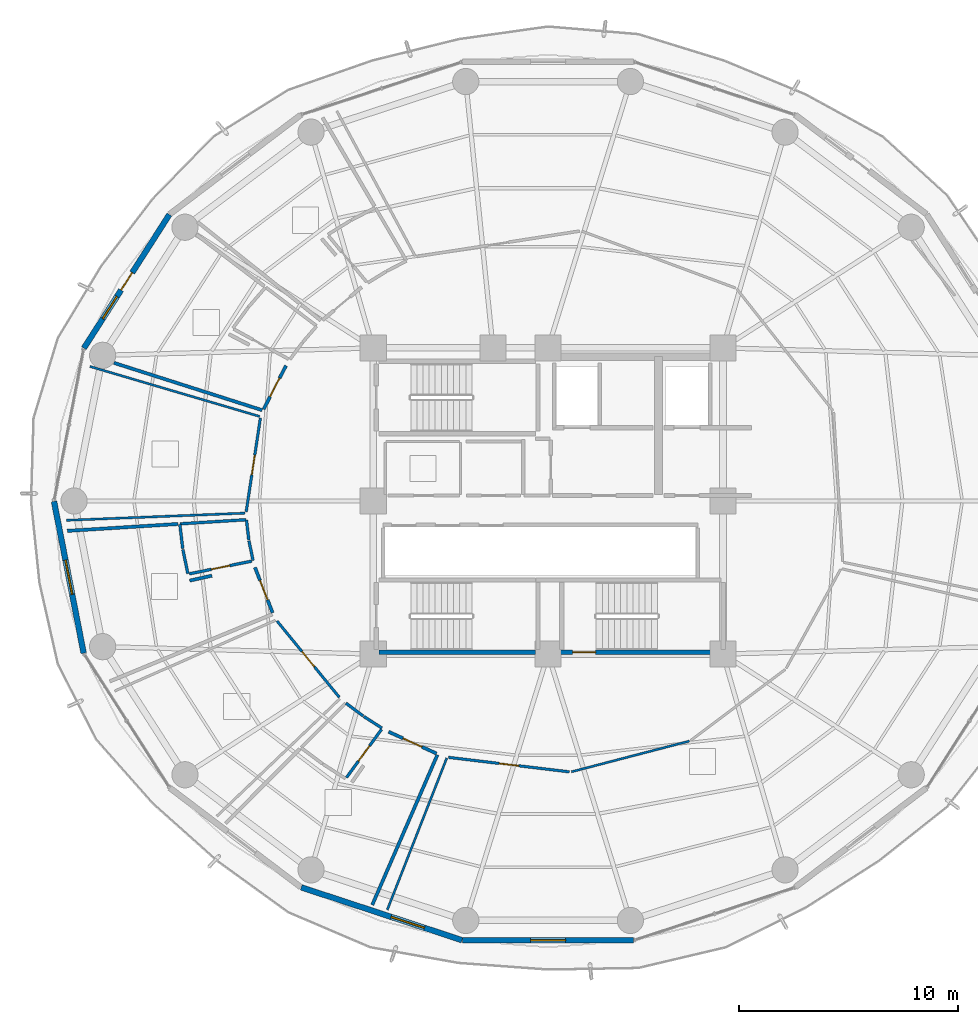
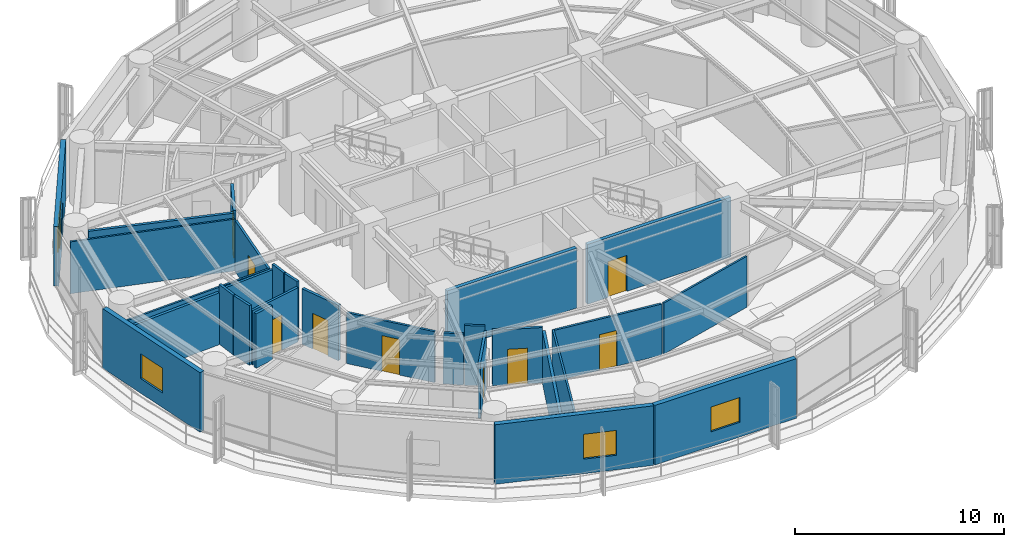
# One storey, part 21 of 27: 29 walls, 10 doors, 4 windows, 14 openings.
"""IFC4 building model written with IfcOpenShell, lengths in metres."""

from ifc_helpers import new_model, si_unit, direction, frame, frame_2d, origin, place, context, subcontext, project, spatial, rectangle, extrude, material, layer, layer_set, type_object, element, fill, save


model = new_model("IFC4")

# Units and contexts
model_context = context("Model", 3, precision=1e-05, world=origin(), true_north=direction((0.0, 1.0)))
body_context = subcontext(model_context, "Body", "Model", "MODEL_VIEW")
ifc_project = project(units=[si_unit("LENGTHUNIT", "METRE"), si_unit("AREAUNIT", "SQUARE_METRE"), si_unit("VOLUMEUNIT", "CUBIC_METRE"), si_unit("PLANEANGLEUNIT", "RADIAN"), si_unit("MASSUNIT", "GRAM", prefix="KILO")], contexts=[model_context])

# Site, building, storey
site_placement = place(None, origin())
site = spatial("IfcSite", under=ifc_project, at=site_placement, CompositionType="ELEMENT")
building_placement = place(site_placement, origin())
building = spatial("IfcBuilding", under=site, at=building_placement, Name="Kelanora Arch Commons", CompositionType="ELEMENT")
storey_placement = place(building_placement, frame((0.0, 0.0, 146.85009765625)))
storey = spatial("IfcBuildingStorey", under=building, at=storey_placement, Name="L37", CompositionType="ELEMENT", Elevation=146.85009765625)

# Wall, opening, door
ifc_material_1 = material(Name="Autoclaved aerated concrete blockwork with fire plaster", Category="masonry")
ifc_layer_1 = layer(ifc_material_1, 0.14990234375)
ifc_layer_set_1 = layer_set([ifc_layer_1], Name="Autoclaved aerated concrete blockwork with fire plaster")
wall_type_1 = type_object("IfcWallType", Name="W-COMP-150", PredefinedType="PARTITIONING", material=ifc_layer_set_1)
wall_1_placement = place(storey_placement, frame((62.0146484375, 64.191650390625, 0.0), z_axis=(0.0, 0.0, 1.0), x_axis=(-0.457234963971, -0.889345932538, 0.0)))
wall_1 = element("IfcWall", 1, at=wall_1_placement, inside=storey, type_object=wall_type_1, Name="Co-Living Studio L37-02 Entry Partition", PredefinedType="PARTITIONING", context=body_context, shape_type="SweptSolid", body=[
    extrude(rectangle(XDim=2.24462890625, YDim=0.14990234375, at=frame_2d((1.122314453125, 0.0))), origin(), (0.0, 0.0, 1.0), 3.23486328125),
])
opening_1_placement = place(wall_1_placement, frame((0.64697265625, 0.0, 0.0)))
opening_1 = element("IfcOpeningElement", 2, at=opening_1_placement, cuts=wall_1, Name="Opening D-CLU1", PredefinedType="OPENING", context=body_context, shape_type="SweptSolid", body=[
    extrude(rectangle(XDim=0.949951171875, YDim=2.080078125, at=frame_2d((0.47509765625, 1.0400390625))), frame((0.0, 0.0849609375, 0.0), z_axis=(0.0, -1.0, 0.0), x_axis=(1.0, 0.0, 0.0)), (0.0, 0.0, 1.0), 0.169921875),
])
ifc_material_2 = material(Name="Solid-core acoustic timber cluster entry fire door", Category="wood")
door_type_1 = type_object("IfcDoorType", Name="D-CLU-95", OperationType="NOTDEFINED", PredefinedType="DOOR", material=ifc_material_2)
door_1_placement = place(opening_1_placement, origin())
door_1 = element("IfcDoor", 3, at=door_1_placement, inside=storey, type_object=door_type_1, Name="Co-Living Studio L37-02 Door", OperationType="SINGLE_SWING_LEFT", OverallHeight=2.080078125, OverallWidth=0.949951171875, PredefinedType="DOOR", context=body_context, shape_type="SweptSolid", body=[
    extrude(rectangle(XDim=0.949951171875, YDim=2.080078125, at=frame_2d((0.47509765625, 1.0400390625))), frame((0.0, 0.02490234375, 0.0), z_axis=(0.0, -1.0, 0.0), x_axis=(1.0, 0.0, 0.0)), (0.0, 0.0, 1.0), 0.050048828125),
])
fill(opening_1, door_1)

wall_2_placement = place(storey_placement, frame((60.5947265625, 54.964111328125, 0.0), z_axis=(0.0, 0.0, 1.0), x_axis=(0.361769005858, -0.932267765398, 0.0)))
wall_2 = element("IfcWall", 4, at=wall_2_placement, inside=storey, type_object=wall_type_1, Name="Co-Living Studio L37-04 Entry Partition", PredefinedType="PARTITIONING", context=body_context, shape_type="SweptSolid", body=[
    extrude(rectangle(XDim=2.22705078125, YDim=0.14990234375, at=frame_2d((1.113525390625, 0.0))), origin(), (0.0, 0.0, 1.0), 3.23486328125),
])
opening_2_placement = place(wall_2_placement, frame((0.638916015625, 0.0, 0.0)))
opening_2 = element("IfcOpeningElement", 5, at=opening_2_placement, cuts=wall_2, Name="Opening D-CLU1", PredefinedType="OPENING", context=body_context, shape_type="SweptSolid", body=[
    extrude(rectangle(XDim=0.949951171875, YDim=2.080078125, at=frame_2d((0.47509765625, 1.0400390625))), frame((0.0, 0.0849609375, 0.0), z_axis=(0.0, -1.0, 0.0), x_axis=(1.0, 0.0, 0.0)), (0.0, 0.0, 1.0), 0.169921875),
])
door_2_placement = place(opening_2_placement, origin())
door_2 = element("IfcDoor", 6, at=door_2_placement, inside=storey, type_object=door_type_1, Name="Co-Living Studio L37-04 Door", OperationType="SINGLE_SWING_RIGHT", OverallHeight=2.080078125, OverallWidth=0.949951171875, PredefinedType="DOOR", context=body_context, shape_type="SweptSolid", body=[
    extrude(rectangle(XDim=0.949951171875, YDim=2.080078125, at=frame_2d((0.47509765625, 1.0400390625))), frame((0.0, 0.02490234375, 0.0), z_axis=(0.0, -1.0, 0.0), x_axis=(1.0, 0.0, 0.0)), (0.0, 0.0, 1.0), 0.050048828125),
])
fill(opening_2, door_2)

wall_3_placement = place(storey_placement, frame((66.706787109375, 47.4453125, 0.0), z_axis=(0.0, 0.0, 1.0), x_axis=(0.910872904928, -0.412686989216, 0.0)))
wall_3 = element("IfcWall", 7, at=wall_3_placement, inside=storey, type_object=wall_type_1, Name="Co-Living Studio L37-06 Entry Partition", PredefinedType="PARTITIONING", context=body_context, shape_type="SweptSolid", body=[
    extrude(rectangle(XDim=2.4072265625, YDim=0.14990234375, at=frame_2d((1.20361328125, 0.0))), origin(), (0.0, 0.0, 1.0), 3.23486328125),
])
opening_3_placement = place(wall_3_placement, frame((0.72900390625, 0.0, 0.0)))
opening_3 = element("IfcOpeningElement", 8, at=opening_3_placement, cuts=wall_3, Name="Opening D-CLU1", PredefinedType="OPENING", context=body_context, shape_type="SweptSolid", body=[
    extrude(rectangle(XDim=0.949951171875, YDim=2.080078125, at=frame_2d((0.47509765625, 1.0400390625))), frame((0.0, 0.0849609375, 0.0), z_axis=(0.0, -1.0, 0.0), x_axis=(1.0, 0.0, 0.0)), (0.0, 0.0, 1.0), 0.169921875),
])
door_3_placement = place(opening_3_placement, origin())
door_3 = element("IfcDoor", 9, at=door_3_placement, inside=storey, type_object=door_type_1, Name="Co-Living Studio L37-06 Door", OperationType="SINGLE_SWING_LEFT", OverallHeight=2.080078125, OverallWidth=0.949951171875, PredefinedType="DOOR", context=body_context, shape_type="SweptSolid", body=[
    extrude(rectangle(XDim=0.949951171875, YDim=2.080078125, at=frame_2d((0.47509765625, 1.0400390625))), frame((0.0, 0.02490234375, 0.0), z_axis=(0.0, -1.0, 0.0), x_axis=(1.0, 0.0, 0.0)), (0.0, 0.0, 1.0), 0.050048828125),
])
fill(opening_3, door_3)

# Walls
wall_4_placement = place(storey_placement, frame((60.9228515625, 62.154296875, 0.0), z_axis=(0.0, 0.0, 1.0), x_axis=(-0.952653075659, 0.304059397878, 0.0)))
element("IfcWall", 10, at=wall_4_placement, inside=storey, type_object=wall_type_1, Name="Co-Living Studio L37-02 Enclosure Partition 2", PredefinedType="PARTITIONING", context=body_context, shape_type="SweptSolid", body=[
    extrude(rectangle(XDim=7.111572265625, YDim=0.14990234375, at=frame_2d((3.5556640625, 0.0))), origin(), (0.0, 0.0, 1.0), 3.1748046875),
])
wall_5_placement = place(storey_placement, frame((52.011962890625, 56.633544921875, 0.0), z_axis=(0.0, 0.0, 1.0), x_axis=(0.998071814667, 0.062069741162, 0.0)))
element("IfcWall", 11, at=wall_5_placement, inside=storey, type_object=wall_type_1, Name="Co-Living Studio L37-04 Enclosure Partition 5", PredefinedType="PARTITIONING", context=body_context, shape_type="SweptSolid", body=[
    extrude(rectangle(XDim=5.073974609375, YDim=0.14990234375, at=frame_2d((2.537109375, 0.0))), origin(), (0.0, 0.0, 1.0), 3.02490234375),
])
wall_6_placement = place(storey_placement, frame((57.60888671875, 54.358642578125, 0.0), z_axis=(0.0, 0.0, 1.0), x_axis=(0.97598825513, 0.217823152693, 0.0)))
element("IfcWall", 12, at=wall_6_placement, inside=storey, type_object=wall_type_1, Name="Co-Living Studio L37-04 Enclosure Partition 7", PredefinedType="PARTITIONING", context=body_context, shape_type="SweptSolid", body=[
    extrude(rectangle(XDim=1.04248046875, YDim=0.14990234375, at=frame_2d((0.521240234375, 0.0))), origin(), (0.0, 0.0, 1.0), 3.1748046875),
])
wall_7_placement = place(storey_placement, frame((68.93798828125, 46.390380859375, 0.0), z_axis=(0.0, 0.0, 1.0), x_axis=(-0.398074464123, -0.917353105959, 0.0)))
element("IfcWall", 13, at=wall_7_placement, inside=storey, type_object=wall_type_1, Name="Co-Living Studio L37-06 Enclosure Partition 2", PredefinedType="PARTITIONING", context=body_context, shape_type="SweptSolid", body=[
    extrude(rectangle(XDim=7.481201171875, YDim=0.14990234375, at=frame_2d((3.74072265625, 0.0))), origin(), (0.0, 0.0, 1.0), 3.02490234375),
])

# Wall, openings, door, window
ifc_material_3 = material(Name="Precast concrete C40/50 with terracotta rainscreen", Category="masonry")
ifc_layer_2 = layer(ifc_material_3, 0.260009765625)
ifc_layer_set_2 = layer_set([ifc_layer_2], Name="Precast concrete C40/50 with terracotta rainscreen")
wall_type_2 = type_object("IfcWallType", Name="W-EXT-TC", PredefinedType="SOLIDWALL", material=ifc_layer_set_2)
wall_8_placement = place(storey_placement, frame((56.67919921875, 71.100341796875, 0.0), z_axis=(0.0, 0.0, 1.0), x_axis=(-0.538801521808, -0.842432739213, 0.0)))
wall_8 = element("IfcWall", 14, at=wall_8_placement, inside=storey, type_object=wall_type_2, Name="Terracotta Exterior Wall L37-B07", PredefinedType="SOLIDWALL", context=body_context, shape_type="SweptSolid", body=[
    extrude(rectangle(XDim=7.25341796875, YDim=0.260009765625, at=frame_2d((3.626708984375, 0.0))), origin(), (0.0, 0.0, 1.0), 3.474853515625),
])
opening_4_placement = place(wall_8_placement, frame((3.152099609375, 0.0, 0.0)))
opening_4 = element("IfcOpeningElement", 15, at=opening_4_placement, cuts=wall_8, Name="Opening DB-01", PredefinedType="OPENING", context=body_context, shape_type="SweptSolid", body=[
    extrude(rectangle(XDim=0.949951171875, YDim=2.10009765625, at=frame_2d((0.47509765625, 1.050048828125))), frame((0.0, 0.14013671875, 0.0), z_axis=(0.0, -1.0, 0.0), x_axis=(1.0, 0.0, 0.0)), (0.0, 0.0, 1.0), 0.280029296875),
])
opening_5_placement = place(wall_8_placement, frame((4.451904296875, 0.0, 0.85009765625)))
opening_5 = element("IfcOpeningElement", 16, at=opening_5_placement, cuts=wall_8, Name="Opening WN-02", PredefinedType="OPENING", context=body_context, shape_type="SweptSolid", body=[
    extrude(rectangle(XDim=1.199951171875, YDim=1.449951171875, at=frame_2d((0.60009765625, 0.72509765625))), frame((0.0, 0.14013671875, 0.0), z_axis=(0.0, -1.0, 0.0), x_axis=(1.0, 0.0, 0.0)), (0.0, 0.0, 1.0), 0.280029296875),
])
ifc_material_4 = material(Name="Terracotta-aluminium thermally broken glazed balcony door", Category="masonry")
door_type_2 = type_object("IfcDoorType", Name="D-BAL-10", OperationType="NOTDEFINED", PredefinedType="DOOR", material=ifc_material_4)
door_4_placement = place(opening_4_placement, frame((0.949951171875, 0.0, 0.0), z_axis=(0.0, 0.0, 1.0), x_axis=(-1.0, 0.0, 0.0)))
door_4 = element("IfcDoor", 17, at=door_4_placement, inside=storey, type_object=door_type_2, Name="Wave Balcony Door L37-B07", OperationType="SINGLE_SWING_LEFT", OverallHeight=2.10009765625, OverallWidth=0.949951171875, PredefinedType="DOOR", context=body_context, shape_type="SweptSolid", body=[
    extrude(rectangle(XDim=0.949951171875, YDim=2.10009765625, at=frame_2d((0.47509765625, 1.050048828125))), frame((0.0, 0.02490234375, 0.0), z_axis=(0.0, -1.0, 0.0), x_axis=(1.0, 0.0, 0.0)), (0.0, 0.0, 1.0), 0.050048828125),
])
fill(opening_4, door_4)
ifc_material_5 = material(Name="Terracotta-anodised aluminium frame with operable awning sash", Category="masonry")
window_type_1 = type_object("IfcWindowType", Name="WIN-CL-12", PartitioningType="SINGLE_PANEL", PredefinedType="WINDOW", material=ifc_material_5)
window_1_placement = place(opening_5_placement, origin())
window_1 = element("IfcWindow", 18, at=window_1_placement, inside=storey, type_object=window_type_1, Name="Co-Living Operable Window L37-B07", OverallHeight=1.449951171875, OverallWidth=1.199951171875, PartitioningType="SINGLE_PANEL", PredefinedType="WINDOW", context=body_context, shape_type="SweptSolid", body=[
    extrude(rectangle(XDim=1.199951171875, YDim=1.449951171875, at=frame_2d((0.60009765625, 0.72509765625))), frame((0.0, 0.030029296875, 0.0), z_axis=(0.0, -1.0, 0.0), x_axis=(1.0, 0.0, 0.0)), (0.0, 0.0, 1.0), 0.06005859375),
])
fill(opening_5, window_1)

# Wall, opening, window
wall_9_placement = place(storey_placement, frame((51.40283203125, 57.9853515625, 0.0), z_axis=(0.0, 0.0, 1.0), x_axis=(0.191716984769, -0.981450252306, 0.0)))
wall_9 = element("IfcWall", 19, at=wall_9_placement, inside=storey, type_object=wall_type_2, Name="Terracotta Exterior Wall L37-B09", PredefinedType="SOLIDWALL", context=body_context, shape_type="SweptSolid", body=[
    extrude(rectangle(XDim=7.0791015625, YDim=0.260009765625, at=frame_2d((3.53955078125, 0.0))), origin(), (0.0, 0.0, 1.0), 3.474853515625),
])
opening_6_placement = place(wall_9_placement, frame((2.739990234375, 0.0, 0.85009765625)))
opening_6 = element("IfcOpeningElement", 20, at=opening_6_placement, cuts=wall_9, Name="Opening WN-01", PredefinedType="OPENING", context=body_context, shape_type="SweptSolid", body=[
    extrude(rectangle(XDim=1.60009765625, YDim=1.449951171875, at=frame_2d((0.800048828125, 0.72509765625))), frame((0.0, 0.14013671875, 0.0), z_axis=(0.0, -1.0, 0.0), x_axis=(1.0, 0.0, 0.0)), (0.0, 0.0, 1.0), 0.280029296875),
])
ifc_material_6 = material(Name="Terracotta-anodised aluminium frame with operable low-E glazing", Category="masonry")
window_type_2 = type_object("IfcWindowType", Name="WIN-CL-18", PartitioningType="DOUBLE_PANEL_VERTICAL", PredefinedType="WINDOW", material=ifc_material_6)
window_2_placement = place(opening_6_placement, origin())
window_2 = element("IfcWindow", 21, at=window_2_placement, inside=storey, type_object=window_type_2, Name="Co-Living Operable Window L37-B09", OverallHeight=1.449951171875, OverallWidth=1.60009765625, PartitioningType="SINGLE_PANEL", PredefinedType="WINDOW", context=body_context, shape_type="SweptSolid", body=[
    extrude(rectangle(XDim=1.60009765625, YDim=1.449951171875, at=frame_2d((0.800048828125, 0.72509765625))), frame((0.0, 0.030029296875, 0.0), z_axis=(0.0, -1.0, 0.0), x_axis=(1.0, 0.0, 0.0)), (0.0, 0.0, 1.0), 0.06005859375),
])
fill(opening_6, window_2)

wall_10_placement = place(storey_placement, frame((62.71435546875, 40.328369140625, 0.0), z_axis=(0.0, 0.0, 1.0), x_axis=(0.950038302428, -0.312133343173, 0.0)))
wall_10 = element("IfcWall", 22, at=wall_10_placement, inside=storey, type_object=wall_type_2, Name="Terracotta Exterior Wall L37-B12", PredefinedType="SOLIDWALL", context=body_context, shape_type="SweptSolid", body=[
    extrude(rectangle(XDim=7.7333984375, YDim=0.260009765625, at=frame_2d((3.86669921875, 0.0))), origin(), (0.0, 0.0, 1.0), 3.474853515625),
])
opening_7_placement = place(wall_10_placement, frame((4.326904296875, 0.0, 0.85009765625)))
opening_7 = element("IfcOpeningElement", 23, at=opening_7_placement, cuts=wall_10, Name="Opening WN-01", PredefinedType="OPENING", context=body_context, shape_type="SweptSolid", body=[
    extrude(rectangle(XDim=1.60009765625, YDim=1.449951171875, at=frame_2d((0.800048828125, 0.72509765625))), frame((0.0, 0.14013671875, 0.0), z_axis=(0.0, -1.0, 0.0), x_axis=(1.0, 0.0, 0.0)), (0.0, 0.0, 1.0), 0.280029296875),
])
window_3_placement = place(opening_7_placement, origin())
window_3 = element("IfcWindow", 24, at=window_3_placement, inside=storey, type_object=window_type_2, Name="Co-Living Operable Window L37-B12", OverallHeight=1.449951171875, OverallWidth=1.60009765625, PartitioningType="SINGLE_PANEL", PredefinedType="WINDOW", context=body_context, shape_type="SweptSolid", body=[
    extrude(rectangle(XDim=1.60009765625, YDim=1.449951171875, at=frame_2d((0.800048828125, 0.72509765625))), frame((0.0, 0.030029296875, 0.0), z_axis=(0.0, -1.0, 0.0), x_axis=(1.0, 0.0, 0.0)), (0.0, 0.0, 1.0), 0.06005859375),
])
fill(opening_7, window_3)

wall_11_placement = place(storey_placement, frame((70.090576171875, 37.909912109375, 0.0), z_axis=(0.0, 0.0, 1.0), x_axis=(1.0, 0.0, 0.0)))
wall_11 = element("IfcWall", 25, at=wall_11_placement, inside=storey, type_object=wall_type_2, Name="Terracotta Exterior Wall L37-B13", PredefinedType="SOLIDWALL", context=body_context, shape_type="SweptSolid", body=[
    extrude(rectangle(XDim=7.81884765625, YDim=0.260009765625, at=frame_2d((3.909423828125, 0.0))), origin(), (0.0, 0.0, 1.0), 3.474853515625),
])
opening_8_placement = place(wall_11_placement, frame((3.10888671875, 0.0, 0.85009765625)))
opening_8 = element("IfcOpeningElement", 26, at=opening_8_placement, cuts=wall_11, Name="Opening WN-01", PredefinedType="OPENING", context=body_context, shape_type="SweptSolid", body=[
    extrude(rectangle(XDim=1.60009765625, YDim=1.449951171875, at=frame_2d((0.800048828125, 0.72509765625))), frame((0.0, 0.14013671875, 0.0), z_axis=(0.0, -1.0, 0.0), x_axis=(1.0, 0.0, 0.0)), (0.0, 0.0, 1.0), 0.280029296875),
])
window_4_placement = place(opening_8_placement, origin())
window_4 = element("IfcWindow", 27, at=window_4_placement, inside=storey, type_object=window_type_2, Name="Co-Living Operable Window L37-B13", OverallHeight=1.449951171875, OverallWidth=1.60009765625, PartitioningType="SINGLE_PANEL", PredefinedType="WINDOW", context=body_context, shape_type="SweptSolid", body=[
    extrude(rectangle(XDim=1.60009765625, YDim=1.449951171875, at=frame_2d((0.800048828125, 0.72509765625))), frame((0.0, 0.030029296875, 0.0), z_axis=(0.0, -1.0, 0.0), x_axis=(1.0, 0.0, 0.0)), (0.0, 0.0, 1.0), 0.06005859375),
])
fill(opening_8, window_4)

# Walls
ifc_material_7 = material(Name="Lightweight fire-rated acoustic stud partition")
ifc_layer_3 = layer(ifc_material_7, 0.10009765625)
ifc_layer_set_3 = layer_set([ifc_layer_3], Name="Lightweight fire-rated acoustic stud partition")
wall_type_3 = type_object("IfcWallType", Name="W-PART-100", PredefinedType="PARTITIONING", material=ifc_layer_set_3)
wall_12_placement = place(storey_placement, frame((75.069580078125, 45.614990234375, 0.0), z_axis=(0.0, 0.0, 1.0), x_axis=(0.967718115259, 0.252035016216, 0.0)))
element("IfcWall", 28, at=wall_12_placement, inside=storey, type_object=wall_type_3, Name="South-East Shared Study Commons L37 Enclosure Partition 2", PredefinedType="PARTITIONING", context=body_context, shape_type="SweptSolid", body=[
    extrude(rectangle(XDim=5.57470703125, YDim=0.10009765625, at=frame_2d((2.787353515625, 0.0))), origin(), (0.0, 0.0, 1.0), 2.974853515625),
])
wall_13_placement = place(storey_placement, frame((66.64453125, 39.297119140625, 0.0), z_axis=(0.0, 0.0, 1.0), x_axis=(0.364957999702, 0.931023983823, 0.0)))
element("IfcWall", 29, at=wall_13_placement, inside=storey, type_object=wall_type_3, Name="South-East Shared Study Commons L37 Enclosure Partition 10", PredefinedType="PARTITIONING", context=body_context, shape_type="SweptSolid", body=[
    extrude(rectangle(XDim=7.463623046875, YDim=0.10009765625, at=frame_2d((3.73193359375, 0.0))), origin(), (0.0, 0.0, 1.0), 3.02490234375),
])
wall_14_placement = place(storey_placement, frame((60.14404296875, 57.4453125, 0.0), z_axis=(0.0, 0.0, 1.0), x_axis=(-0.99919531507, -0.040108881097, 0.0)))
element("IfcWall", 30, at=wall_14_placement, inside=storey, type_object=wall_type_3, Name="Communal Dining and Social Hall L37-03 Enclosure Partition 2", PredefinedType="PARTITIONING", context=body_context, shape_type="SweptSolid", body=[
    extrude(rectangle(XDim=8.168701171875, YDim=0.10009765625, at=frame_2d((4.08447265625, 0.0))), origin(), (0.0, 0.0, 1.0), 3.02490234375),
])
wall_15_placement = place(storey_placement, frame((53.04736328125, 64.15380859375, 0.0), z_axis=(0.0, 0.0, 1.0), x_axis=(0.959252584651, -0.282549958133, 0.0)))
element("IfcWall", 31, at=wall_15_placement, inside=storey, type_object=wall_type_3, Name="Communal Dining and Social Hall L37-03 Enclosure Partition 4", PredefinedType="PARTITIONING", context=body_context, shape_type="SweptSolid", body=[
    extrude(rectangle(XDim=8.09619140625, YDim=0.10009765625, at=frame_2d((4.048095703125, 0.0))), origin(), (0.0, 0.0, 1.0), 3.02490234375),
])

# Wall, opening, door
ifc_material_8 = material(Name="Acoustic twin-stud fire-rated gypsum partition")
ifc_layer_4 = layer(ifc_material_8, 0.1201171875)
ifc_layer_set_4 = layer_set([ifc_layer_4], Name="Acoustic twin-stud fire-rated gypsum partition")
wall_type_4 = type_object("IfcWallType", Name="W-PART-120", PredefinedType="PARTITIONING", material=ifc_layer_set_4)
wall_16_placement = place(storey_placement, frame((69.442626953125, 46.27587890625, 0.0), z_axis=(0.0, 0.0, 1.0), x_axis=(0.992874348748, -0.119165966612, 0.0)))
wall_16 = element("IfcWall", 32, at=wall_16_placement, inside=storey, type_object=wall_type_4, Name="South-East Shared Study Commons L37 Entry Partition", PredefinedType="PARTITIONING", context=body_context, shape_type="SweptSolid", body=[
    extrude(rectangle(XDim=5.568603515625, YDim=0.1201171875, at=frame_2d((2.7841796875, 0.0))), origin(), (0.0, 0.0, 1.0), 2.974853515625),
])
opening_9_placement = place(wall_16_placement, frame((2.333984375, 0.0, 0.0)))
opening_9 = element("IfcOpeningElement", 33, at=opening_9_placement, cuts=wall_16, Name="Opening D-RM1", PredefinedType="OPENING", context=body_context, shape_type="SweptSolid", body=[
    extrude(rectangle(XDim=0.89990234375, YDim=2.080078125, at=frame_2d((0.449951171875, 1.0400390625))), frame((0.0, 0.070068359375, 0.0), z_axis=(0.0, -1.0, 0.0), x_axis=(1.0, 0.0, 0.0)), (0.0, 0.0, 1.0), 0.14013671875),
])
ifc_material_9 = material(Name="Acoustic fire-rated timber study and lounge door", Category="wood")
door_type_3 = type_object("IfcDoorType", Name="D-ROOM-90", OperationType="NOTDEFINED", PredefinedType="DOOR", material=ifc_material_9)
door_5_placement = place(opening_9_placement, origin())
door_5 = element("IfcDoor", 34, at=door_5_placement, inside=storey, type_object=door_type_3, Name="South-East Shared Study Commons L37 Door", OperationType="SINGLE_SWING_RIGHT", OverallHeight=2.080078125, OverallWidth=0.89990234375, PredefinedType="DOOR", context=body_context, shape_type="SweptSolid", body=[
    extrude(rectangle(XDim=0.89990234375, YDim=2.080078125, at=frame_2d((0.449951171875, 1.0400390625))), frame((0.0, 0.02490234375, 0.0), z_axis=(0.0, -1.0, 0.0), x_axis=(1.0, 0.0, 0.0)), (0.0, 0.0, 1.0), 0.050048828125),
])
fill(opening_9, door_5)

wall_17_placement = place(storey_placement, frame((60.843017578125, 61.795654296875, 0.0), z_axis=(0.0, 0.0, 1.0), x_axis=(-0.149807046494, -0.988715251638, 0.0)))
wall_17 = element("IfcWall", 35, at=wall_17_placement, inside=storey, type_object=wall_type_4, Name="Communal Dining and Social Hall L37-03 Entry Partition", PredefinedType="PARTITIONING", context=body_context, shape_type="SweptSolid", body=[
    extrude(rectangle(XDim=4.33837890625, YDim=0.1201171875, at=frame_2d((2.169189453125, 0.0))), origin(), (0.0, 0.0, 1.0), 2.974853515625),
])
opening_10_placement = place(wall_17_placement, frame((1.718994140625, 0.0, 0.0)))
opening_10 = element("IfcOpeningElement", 36, at=opening_10_placement, cuts=wall_17, Name="Opening D-RM1", PredefinedType="OPENING", context=body_context, shape_type="SweptSolid", body=[
    extrude(rectangle(XDim=0.89990234375, YDim=2.080078125, at=frame_2d((0.449951171875, 1.0400390625))), frame((0.0, 0.070068359375, 0.0), z_axis=(0.0, -1.0, 0.0), x_axis=(1.0, 0.0, 0.0)), (0.0, 0.0, 1.0), 0.14013671875),
])
door_6_placement = place(opening_10_placement, origin())
door_6 = element("IfcDoor", 37, at=door_6_placement, inside=storey, type_object=door_type_3, Name="Communal Dining and Social Hall L37-03 Door", OperationType="SINGLE_SWING_RIGHT", OverallHeight=2.080078125, OverallWidth=0.89990234375, PredefinedType="DOOR", context=body_context, shape_type="SweptSolid", body=[
    extrude(rectangle(XDim=0.89990234375, YDim=2.080078125, at=frame_2d((0.449951171875, 1.0400390625))), frame((0.0, 0.02490234375, 0.0), z_axis=(0.0, -1.0, 0.0), x_axis=(1.0, 0.0, 0.0)), (0.0, 0.0, 1.0), 0.050048828125),
])
fill(opening_10, door_6)

wall_18_placement = place(storey_placement, frame((61.60400390625, 52.511474609375, 0.0), z_axis=(0.0, 0.0, 1.0), x_axis=(0.632491819148, -0.77456703952, 0.0)))
wall_18 = element("IfcWall", 38, at=wall_18_placement, inside=storey, type_object=wall_type_4, Name="Social Sky Lounge L37-05 Entry Partition", PredefinedType="PARTITIONING", context=body_context, shape_type="SweptSolid", body=[
    extrude(rectangle(XDim=4.5107421875, YDim=0.1201171875, at=frame_2d((2.25537109375, 0.0))), origin(), (0.0, 0.0, 1.0), 2.974853515625),
])
opening_11_placement = place(wall_18_placement, frame((1.804931640625, 0.0, 0.0)))
opening_11 = element("IfcOpeningElement", 39, at=opening_11_placement, cuts=wall_18, Name="Opening D-RM1", PredefinedType="OPENING", context=body_context, shape_type="SweptSolid", body=[
    extrude(rectangle(XDim=0.89990234375, YDim=2.080078125, at=frame_2d((0.449951171875, 1.0400390625))), frame((0.0, 0.070068359375, 0.0), z_axis=(0.0, -1.0, 0.0), x_axis=(1.0, 0.0, 0.0)), (0.0, 0.0, 1.0), 0.14013671875),
])
door_7_placement = place(opening_11_placement, origin())
door_7 = element("IfcDoor", 40, at=door_7_placement, inside=storey, type_object=door_type_3, Name="Social Sky Lounge L37-05 Door", OperationType="SINGLE_SWING_LEFT", OverallHeight=2.080078125, OverallWidth=0.89990234375, PredefinedType="DOOR", context=body_context, shape_type="SweptSolid", body=[
    extrude(rectangle(XDim=0.89990234375, YDim=2.080078125, at=frame_2d((0.449951171875, 1.0400390625))), frame((0.0, 0.02490234375, 0.0), z_axis=(0.0, -1.0, 0.0), x_axis=(1.0, 0.0, 0.0)), (0.0, 0.0, 1.0), 0.050048828125),
])
fill(opening_11, door_7)

ifc_material_10 = material(Name="Concrete C40/50", Category="concrete")
ifc_layer_5 = layer(ifc_material_10, 0.199951171875)
ifc_layer_set_5 = layer_set([ifc_layer_5], Name="Concrete C40/50")
wall_type_5 = type_object("IfcWallType", Name="W-STAIR-200", PredefinedType="SHEAR", material=ifc_layer_set_5)
wall_19_placement = place(storey_placement, frame((74.0, 51.080078125, 0.0), z_axis=(0.0, 0.0, 1.0), x_axis=(1.0, 0.0, 0.0)))
wall_19 = element("IfcWall", 41, at=wall_19_placement, inside=storey, type_object=wall_type_5, Name="Stair ST-T2 Shaft Wall S L37", PredefinedType="SHEAR", context=body_context, shape_type="SweptSolid", body=[
    extrude(rectangle(XDim=7.89990234375, YDim=0.199951171875, at=frame_2d((3.949951171875, 0.0))), origin(), (0.0, 0.0, 1.0), 3.489990234375),
])
opening_12_placement = place(wall_19_placement, frame((1.1201171875, 0.0, 0.0)))
opening_12 = element("IfcOpeningElement", 42, at=opening_12_placement, cuts=wall_19, Name="Opening D-ST1", PredefinedType="OPENING", context=body_context, shape_type="SweptSolid", body=[
    extrude(rectangle(XDim=1.050048828125, YDim=2.10009765625, at=frame_2d((0.52490234375, 1.050048828125))), frame((0.0, 0.10986328125, 0.0), z_axis=(0.0, -1.0, 0.0), x_axis=(1.0, 0.0, 0.0)), (0.0, 0.0, 1.0), 0.219970703125),
])
ifc_material_11 = material(Name="Steel fire-rated stairwell escape door", Category="steel")
door_type_4 = type_object("IfcDoorType", Name="D-STAIR-110", OperationType="NOTDEFINED", PredefinedType="DOOR", material=ifc_material_11)
door_8_placement = place(opening_12_placement, origin())
door_8 = element("IfcDoor", 43, at=door_8_placement, inside=storey, type_object=door_type_4, Name="Stair ST-T2 Escape Door L37", OperationType="SINGLE_SWING_LEFT", OverallHeight=2.10009765625, OverallWidth=1.050048828125, PredefinedType="DOOR", context=body_context, shape_type="SweptSolid", body=[
    extrude(rectangle(XDim=1.050048828125, YDim=2.10009765625, at=frame_2d((0.52490234375, 1.050048828125))), frame((0.0, 0.02490234375, 0.0), z_axis=(0.0, -1.0, 0.0), x_axis=(1.0, 0.0, 0.0)), (0.0, 0.0, 1.0), 0.050048828125),
])
fill(opening_12, door_8)

# Wall
wall_20_placement = place(storey_placement, frame((66.260009765625, 51.080078125, 0.0), z_axis=(0.0, 0.0, 1.0), x_axis=(1.0, 0.0, 0.0)))
element("IfcWall", 44, at=wall_20_placement, inside=storey, type_object=wall_type_5, Name="Stair ST-T3 Shaft Wall S L37", PredefinedType="SHEAR", context=body_context, shape_type="SweptSolid", body=[
    extrude(rectangle(XDim=7.159912109375, YDim=0.199951171875, at=frame_2d((3.580078125, 0.0))), origin(), (0.0, 0.0, 1.0), 3.489990234375),
])

# Wall, opening, door
ifc_material_12 = material(Name="Moisture-resistant fire-rated cement-board plumbing wall")
ifc_layer_6 = layer(ifc_material_12, 0.1298828125)
ifc_layer_set_6 = layer_set([ifc_layer_6], Name="Moisture-resistant fire-rated cement-board plumbing wall")
wall_type_6 = type_object("IfcWallType", Name="W-WET-120", PredefinedType="PLUMBINGWALL", material=ifc_layer_set_6)
wall_21_placement = place(storey_placement, frame((60.4501953125, 55.2509765625, 0.0), z_axis=(0.0, 0.0, 1.0), x_axis=(-0.979866857251, -0.199652052484, 0.0)))
wall_21 = element("IfcWall", 45, at=wall_21_placement, inside=storey, type_object=wall_type_6, Name="En-Suite Shower WC L37-04 Entry Partition", PredefinedType="PLUMBINGWALL", context=body_context, shape_type="SweptSolid", body=[
    extrude(rectangle(XDim=2.920166015625, YDim=0.1298828125, at=frame_2d((1.4599609375, 0.0))), origin(), (0.0, 0.0, 1.0), 3.1748046875),
])
opening_13_placement = place(wall_21_placement, frame((1.030029296875, 0.0, 0.0)))
opening_13 = element("IfcOpeningElement", 46, at=opening_13_placement, cuts=wall_21, Name="Opening D-BT1", PredefinedType="OPENING", context=body_context, shape_type="SweptSolid", body=[
    extrude(rectangle(XDim=0.860107421875, YDim=2.050048828125, at=frame_2d((0.43017578125, 1.02490234375))), frame((0.0, 0.074951171875, 0.0), z_axis=(0.0, -1.0, 0.0), x_axis=(1.0, 0.0, 0.0)), (0.0, 0.0, 1.0), 0.14990234375),
])
ifc_material_13 = material(Name="Moisture-sealed fire-rated accessible bathroom door")
door_type_5 = type_object("IfcDoorType", Name="D-BATH-85", OperationType="NOTDEFINED", PredefinedType="DOOR", material=ifc_material_13)
door_9_placement = place(opening_13_placement, origin())
door_9 = element("IfcDoor", 47, at=door_9_placement, inside=storey, type_object=door_type_5, Name="En-Suite Shower WC L37-04 Door", OperationType="SINGLE_SWING_LEFT", OverallHeight=2.050048828125, OverallWidth=0.860107421875, PredefinedType="DOOR", context=body_context, shape_type="SweptSolid", body=[
    extrude(rectangle(XDim=0.860107421875, YDim=2.050048828125, at=frame_2d((0.43017578125, 1.02490234375))), frame((0.0, 0.02490234375, 0.0), z_axis=(0.0, -1.0, 0.0), x_axis=(1.0, 0.0, 0.0)), (0.0, 0.0, 1.0), 0.050048828125),
])
fill(opening_13, door_9)

wall_22_placement = place(storey_placement, frame((66.3828125, 47.555419921875, 0.0), z_axis=(0.0, 0.0, 1.0), x_axis=(-0.588001344837, -0.808859949849, 0.0)))
wall_22 = element("IfcWall", 48, at=wall_22_placement, inside=storey, type_object=wall_type_6, Name="En-Suite Shower WC L37-06 Entry Partition", PredefinedType="PLUMBINGWALL", context=body_context, shape_type="SweptSolid", body=[
    extrude(rectangle(XDim=2.72705078125, YDim=0.1298828125, at=frame_2d((1.363525390625, 0.0))), origin(), (0.0, 0.0, 1.0), 3.23486328125),
])
opening_14_placement = place(wall_22_placement, frame((0.93408203125, 0.0, 0.0)))
opening_14 = element("IfcOpeningElement", 49, at=opening_14_placement, cuts=wall_22, Name="Opening D-BT1", PredefinedType="OPENING", context=body_context, shape_type="SweptSolid", body=[
    extrude(rectangle(XDim=0.860107421875, YDim=2.050048828125, at=frame_2d((0.43017578125, 1.02490234375))), frame((0.0, 0.074951171875, 0.0), z_axis=(0.0, -1.0, 0.0), x_axis=(1.0, 0.0, 0.0)), (0.0, 0.0, 1.0), 0.14990234375),
])
door_10_placement = place(opening_14_placement, origin())
door_10 = element("IfcDoor", 50, at=door_10_placement, inside=storey, type_object=door_type_5, Name="En-Suite Shower WC L37-06 Door", OperationType="SINGLE_SWING_RIGHT", OverallHeight=2.050048828125, OverallWidth=0.860107421875, PredefinedType="DOOR", context=body_context, shape_type="SweptSolid", body=[
    extrude(rectangle(XDim=0.860107421875, YDim=2.050048828125, at=frame_2d((0.43017578125, 1.02490234375))), frame((0.0, 0.02490234375, 0.0), z_axis=(0.0, -1.0, 0.0), x_axis=(1.0, 0.0, 0.0)), (0.0, 0.0, 1.0), 0.050048828125),
])
fill(opening_14, door_10)

# Walls
wall_23_placement = place(storey_placement, frame((60.205322265625, 57.1240234375, 0.0), z_axis=(0.0, 0.0, 1.0), x_axis=(0.118797046487, -0.992918557459, 0.0)))
element("IfcWall", 51, at=wall_23_placement, inside=storey, type_object=wall_type_6, Name="En-Suite Shower WC L37-04 Enclosure Partition 1", PredefinedType="PLUMBINGWALL", context=body_context, shape_type="SweptSolid", body=[
    extrude(rectangle(XDim=0.912353515625, YDim=0.1298828125, at=frame_2d((0.4560546875, 0.0))), origin(), (0.0, 0.0, 1.0), 3.47998046875),
])
wall_24_placement = place(storey_placement, frame((60.320068359375, 56.178466796875, 0.0), z_axis=(0.0, 0.0, 1.0), x_axis=(0.202067144879, -0.979371670491, 0.0)))
element("IfcWall", 52, at=wall_24_placement, inside=storey, type_object=wall_type_6, Name="En-Suite Shower WC L37-04 Enclosure Partition 2", PredefinedType="PLUMBINGWALL", context=body_context, shape_type="SweptSolid", body=[
    extrude(rectangle(XDim=0.91455078125, YDim=0.1298828125, at=frame_2d((0.457275390625, 0.0))), origin(), (0.0, 0.0, 1.0), 3.47998046875),
])
wall_25_placement = place(storey_placement, frame((57.52587890625, 54.675537109375, 0.0), z_axis=(0.0, 0.0, 1.0), x_axis=(-0.202111317069, 0.979362555703, 0.0)))
element("IfcWall", 53, at=wall_25_placement, inside=storey, type_object=wall_type_6, Name="En-Suite Shower WC L37-04 Enclosure Partition 4", PredefinedType="PLUMBINGWALL", context=body_context, shape_type="SweptSolid", body=[
    extrude(rectangle(XDim=1.126953125, YDim=0.1298828125, at=frame_2d((0.5634765625, 0.0))), origin(), (0.0, 0.0, 1.0), 3.47998046875),
])
wall_26_placement = place(storey_placement, frame((57.29150390625, 55.81884765625, 0.0), z_axis=(0.0, 0.0, 1.0), x_axis=(-0.11846804652, 0.992957865145, 0.0)))
element("IfcWall", 54, at=wall_26_placement, inside=storey, type_object=wall_type_6, Name="En-Suite Shower WC L37-04 Enclosure Partition 5", PredefinedType="PLUMBINGWALL", context=body_context, shape_type="SweptSolid", body=[
    extrude(rectangle(XDim=1.123046875, YDim=0.1298828125, at=frame_2d((0.5615234375, 0.0))), origin(), (0.0, 0.0, 1.0), 3.47998046875),
])
wall_27_placement = place(storey_placement, frame((57.176025390625, 56.955078125, 0.0), z_axis=(0.0, 0.0, 1.0), x_axis=(0.998056675164, 0.062312704652, 0.0)))
element("IfcWall", 55, at=wall_27_placement, inside=storey, type_object=wall_type_6, Name="En-Suite Shower WC L37-04 Enclosure Partition 6", PredefinedType="PLUMBINGWALL", context=body_context, shape_type="SweptSolid", body=[
    extrude(rectangle(XDim=3.012939453125, YDim=0.1298828125, at=frame_2d((1.50634765625, 0.0))), origin(), (0.0, 0.0, 1.0), 3.1748046875),
])
wall_28_placement = place(storey_placement, frame((64.759033203125, 48.7529296875, 0.0), z_axis=(0.0, 0.0, 1.0), x_axis=(0.800390142897, -0.599479456824, 0.0)))
element("IfcWall", 56, at=wall_28_placement, inside=storey, type_object=wall_type_6, Name="En-Suite Shower WC L37-06 Enclosure Partition 1", PredefinedType="PLUMBINGWALL", context=body_context, shape_type="SweptSolid", body=[
    extrude(rectangle(XDim=0.975830078125, YDim=0.1298828125, at=frame_2d((0.48779296875, 0.0))), origin(), (0.0, 0.0, 1.0), 2.974853515625),
])
wall_29_placement = place(storey_placement, frame((65.57275390625, 48.145263671875, 0.0), z_axis=(0.0, 0.0, 1.0), x_axis=(0.842104586495, -0.539314254776, 0.0)))
element("IfcWall", 57, at=wall_29_placement, inside=storey, type_object=wall_type_6, Name="En-Suite Shower WC L37-06 Enclosure Partition 2", PredefinedType="PLUMBINGWALL", context=body_context, shape_type="SweptSolid", body=[
    extrude(rectangle(XDim=0.983642578125, YDim=0.1298828125, at=frame_2d((0.49169921875, 0.0))), origin(), (0.0, 0.0, 1.0), 3.47998046875),
])

save(model, "model.ifc")
